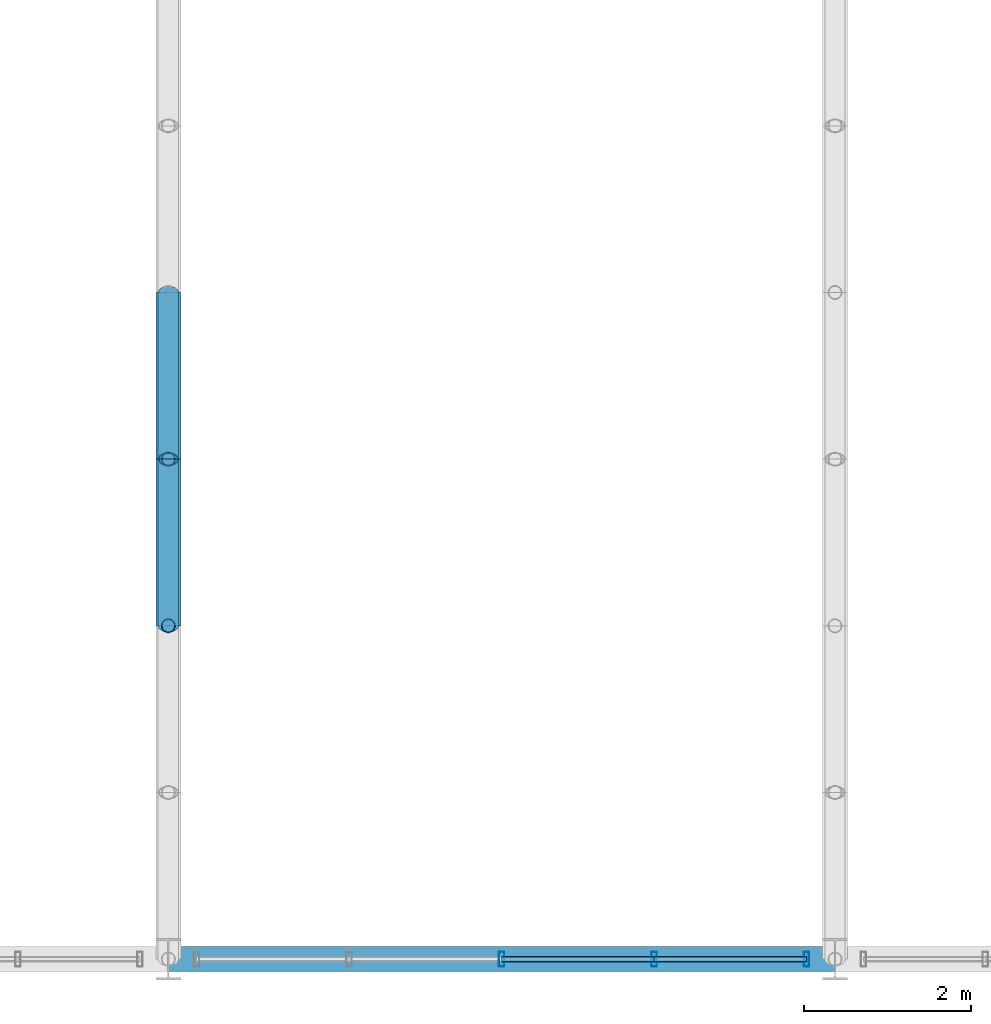
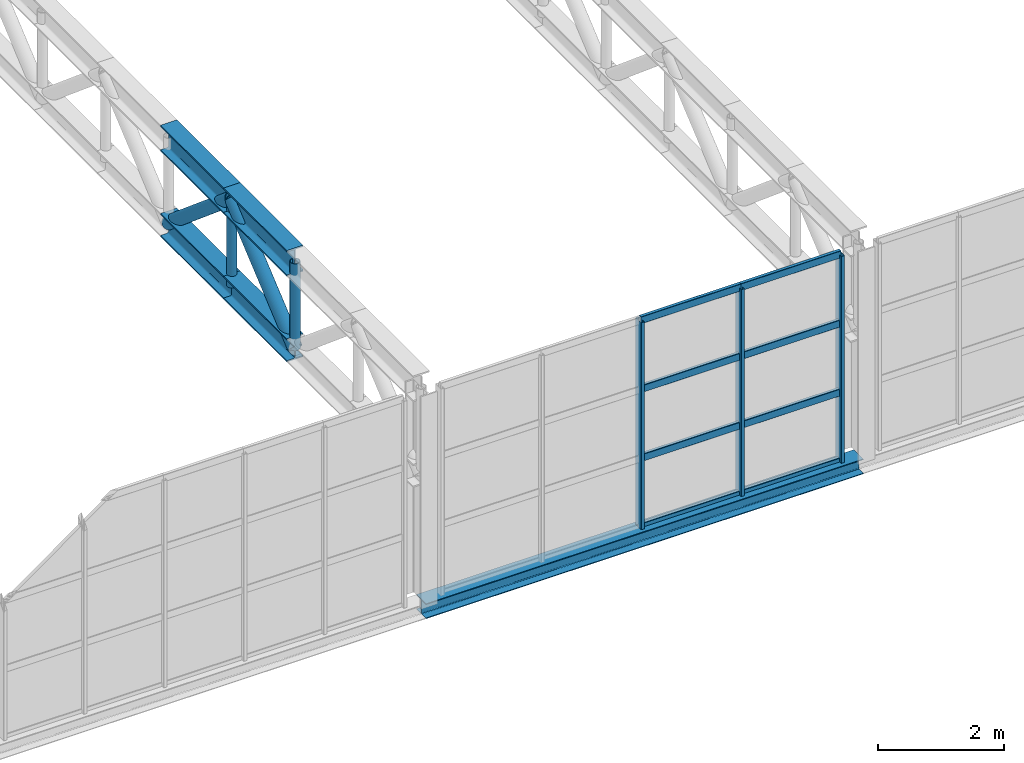
# One storey, part 11 of 67: 19 members, 1 beam, 1 element without a shape of its own.
"""IFC4 building model written with IfcOpenShell, lengths in metres."""

from ifc_helpers import new_model, si_unit, derived_unit, direction, frame, origin, origin_2d, place, context, subcontext, project, spatial, hollow_rectangle, hollow_circle, i_section, extrude, material, material_profile, profile_set, type_object, element, aggregate, save


model = new_model("IFC4")

# Units and contexts
model_context = context("Model", 3, precision=1e-05, world=origin(), true_north=direction((0.0, 1.0)))
body_context = subcontext(model_context, "Body", "Model", "MODEL_VIEW")
ifc_project = project(units=[si_unit("LENGTHUNIT", "METRE"), si_unit("AREAUNIT", "SQUARE_METRE"), si_unit("VOLUMEUNIT", "CUBIC_METRE"), si_unit("PLANEANGLEUNIT", "RADIAN"), si_unit("MASSUNIT", "GRAM", prefix="KILO"), derived_unit("THERMALTRANSMITTANCEUNIT", [(si_unit("POWERUNIT", "WATT"), 1), (si_unit("LENGTHUNIT", "METRE"), -2), (si_unit("THERMODYNAMICTEMPERATUREUNIT", "KELVIN"), -1)])], contexts=[model_context])

# Site, building, storey
site_placement = place(None, origin())
site = spatial("IfcSite", under=ifc_project, at=site_placement, CompositionType="ELEMENT")
building_placement = place(site_placement, origin())
building = spatial("IfcBuilding", under=site, at=building_placement, Name="Keldorne Ridge Multi-Sports Centre", CompositionType="ELEMENT")
storey_placement = place(building_placement, frame((0.0, 0.0, 14.0)))
storey = spatial("IfcBuildingStorey", under=building, at=storey_placement, Name="L03", CompositionType="ELEMENT", Elevation=14.0)

# Beam
ifc_material_1 = material(Name="Steel S355", Category="steel")
ifc_material_profile_1 = material_profile(ifc_material_1, i_section(OverallWidth=0.300048828125, OverallDepth=0.2900390625, WebThickness=0.008544921875, FlangeThickness=0.013916015625, FilletRadius=0.027099609375, at=origin_2d()), Name="HEA 300")
ifc_profile_set_1 = profile_set([ifc_material_profile_1], Name="Steel S355")
beam_type = type_object("IfcBeamType", Name="BM-SP-04", PredefinedType="SPANDREL", material=ifc_profile_set_1)
beam_placement = place(storey_placement, frame((112.0, 6.0, -0.14990234375), z_axis=(1.0, 0.0, 0.0), x_axis=(0.0, 1.0, 0.0)))
element("IfcBeam", 1, at=beam_placement, inside=storey, type_object=beam_type, Name="Stacked Courts spandrel L03.6.2", PredefinedType="SPANDREL", context=body_context, shape_type="SweptSolid", body=[
    extrude(i_section(OverallWidth=0.300048828125, OverallDepth=0.2900390625, WebThickness=0.008544921875, FlangeThickness=0.013916015625, FilletRadius=0.027099609375, at=origin_2d()), origin(), (0.0, 0.0, 1.0), 8.0),
])

# Curtain wall, members
ifc_material_2 = material(Name="Anodized aluminium", Category="aluminium")
curtain_wall_type = type_object("IfcCurtainWallType", Name="CW-CW-08", PredefinedType="NOTDEFINED", material=ifc_material_2)
curtain_wall_placement = place(storey_placement, origin())
curtain_wall = element("IfcCurtainWall", 2, at=curtain_wall_placement, inside=storey, type_object=curtain_wall_type, Name="Upper Courts high clerestory 096", PredefinedType="NOTDEFINED")
ifc_material_profile_2 = material_profile(ifc_material_2, hollow_rectangle(XDim=0.06494140625, YDim=0.179931640625, WallThickness=0.00439453125, InnerFilletRadius=0.00439453125, OuterFilletRadius=0.009033203125, at=origin_2d()), Name="ALU MULLION 180x65x4.5")
ifc_profile_set_2 = profile_set([ifc_material_profile_2], Name="Anodized aluminium")
member_type_1 = type_object("IfcMemberType", Name="MEM-ML-01", PredefinedType="MULLION", material=ifc_profile_set_2)
member_1_placement = place(storey_placement, frame((116.0, 6.0, 0.0), z_axis=(0.0, 0.0, 1.0), x_axis=(1.0, 0.0, 0.0)))
member_1 = element("IfcMember", 3, at=member_1_placement, type_object=member_type_1, Name="CW-096 vertical mullion 3", PredefinedType="MULLION", context=body_context, shape_type="SweptSolid", body=[
    extrude(hollow_rectangle(XDim=0.06494140625, YDim=0.179931640625, WallThickness=0.00439453125, InnerFilletRadius=0.00439453125, OuterFilletRadius=0.009033203125, at=origin_2d()), origin(), (0.0, 0.0, 1.0), 4.0),
])
member_2_placement = place(storey_placement, frame((117.830078125, 6.0, 0.0), z_axis=(0.0, 0.0, 1.0), x_axis=(1.0, 0.0, 0.0)))
member_2 = element("IfcMember", 4, at=member_2_placement, type_object=member_type_1, Name="CW-096 vertical mullion 4", PredefinedType="MULLION", context=body_context, shape_type="SweptSolid", body=[
    extrude(hollow_rectangle(XDim=0.06494140625, YDim=0.179931640625, WallThickness=0.00439453125, InnerFilletRadius=0.00439453125, OuterFilletRadius=0.009033203125, at=origin_2d()), origin(), (0.0, 0.0, 1.0), 4.0),
])
member_3_placement = place(storey_placement, frame((119.659912109375, 6.0, 0.0), z_axis=(0.0, 0.0, 1.0), x_axis=(1.0, 0.0, 0.0)))
member_3 = element("IfcMember", 5, at=member_3_placement, type_object=member_type_1, Name="CW-096 vertical mullion 5", PredefinedType="MULLION", context=body_context, shape_type="SweptSolid", body=[
    extrude(hollow_rectangle(XDim=0.06494140625, YDim=0.179931640625, WallThickness=0.00439453125, InnerFilletRadius=0.00439453125, OuterFilletRadius=0.009033203125, at=origin_2d()), origin(), (0.0, 0.0, 1.0), 4.0),
])

# Members
ifc_material_profile_3 = material_profile(ifc_material_1, i_section(OverallWidth=0.300048828125, OverallDepth=0.5, WebThickness=0.014404296875, FlangeThickness=0.028076171875, FilletRadius=0.027099609375, at=origin_2d()), Name="HEB 500")
ifc_profile_set_3 = profile_set([ifc_material_profile_3], Name="Steel S355")
member_type_2 = type_object("IfcMemberType", Name="MEM-TC-03", PredefinedType="CHORD", material=ifc_profile_set_3)
for number, where, z_axis, x_axis, name in (
    (6, (112.0, 10.0, 4.110107421875), (0.0, 1.0, 0.0), (-1.0, 0.0, 0.0), "Stacked Courts Warren TRUSS WT-L04-02 top chord 3"),
    (7, (112.0, 12.0, 4.110107421875), (0.0, 1.0, 0.0), (-1.0, 0.0, 0.0), "Stacked Courts Warren TRUSS WT-L04-02 top chord 4"),
):
    element("IfcMember", number, at=place(storey_placement, frame(where, z_axis=z_axis, x_axis=x_axis)), inside=storey, type_object=member_type_2, Name=name, PredefinedType="CHORD", context=body_context, shape_type="SweptSolid", body=[
        extrude(i_section(OverallWidth=0.300048828125, OverallDepth=0.5, WebThickness=0.014404296875, FlangeThickness=0.028076171875, FilletRadius=0.027099609375, at=origin_2d()), origin(), (0.0, 0.0, 1.0), 2.0),
    ])
ifc_material_profile_4 = material_profile(ifc_material_1, i_section(OverallWidth=0.300048828125, OverallDepth=0.449951171875, WebThickness=0.013916015625, FlangeThickness=0.02587890625, FilletRadius=0.027099609375, at=origin_2d()), Name="HEB 450")
ifc_profile_set_4 = profile_set([ifc_material_profile_4], Name="Steel S355")
member_type_3 = type_object("IfcMemberType", Name="MEM-TC-04", PredefinedType="CHORD", material=ifc_profile_set_4)
for number, where, z_axis, x_axis, name in (
    (8, (112.0, 10.0, 2.429931640625), (0.0, 1.0, 0.0), (-1.0, 0.0, 0.0), "Stacked Courts Warren TRUSS WT-L04-02 bottom chord 3"),
    (9, (112.0, 12.0, 2.429931640625), (0.0, 1.0, 0.0), (-1.0, 0.0, 0.0), "Stacked Courts Warren TRUSS WT-L04-02 bottom chord 4"),
):
    element("IfcMember", number, at=place(storey_placement, frame(where, z_axis=z_axis, x_axis=x_axis)), inside=storey, type_object=member_type_3, Name=name, PredefinedType="CHORD", context=body_context, shape_type="SweptSolid", body=[
        extrude(i_section(OverallWidth=0.300048828125, OverallDepth=0.449951171875, WebThickness=0.013916015625, FlangeThickness=0.02587890625, FilletRadius=0.027099609375, at=origin_2d()), origin(), (0.0, 0.0, 1.0), 2.0),
    ])
ifc_material_profile_5 = material_profile(ifc_material_1, hollow_circle(Radius=0.122314453125, WallThickness=0.012451171875, at=origin_2d()), Name="CHS 244.5x12.5")
ifc_profile_set_5 = profile_set([ifc_material_profile_5], Name="Steel S355")
member_type_4 = type_object("IfcMemberType", Name="MEM-TD-02", PredefinedType="BRACE", material=ifc_profile_set_5)
for number, where, z_axis, x_axis, name in (
    (10, (112.0, 10.0, 2.429931640625), (0.0, 0.765671721121, 0.643231541108), (-1.0, 0.0, 0.0), "Stacked Courts Warren TRUSS WT-L04-02 diagonal 3"),
    (11, (112.0, 12.0, 4.110107421875), (0.0, 0.765671721121, -0.643231541108), (-1.0, 0.0, 0.0), "Stacked Courts Warren TRUSS WT-L04-02 diagonal 4"),
):
    element("IfcMember", number, at=place(storey_placement, frame(where, z_axis=z_axis, x_axis=x_axis)), inside=storey, type_object=member_type_4, Name=name, PredefinedType="BRACE", context=body_context, shape_type="SweptSolid", body=[
        extrude(hollow_circle(Radius=0.122314453125, WallThickness=0.012451171875, at=origin_2d()), origin(), (0.0, 0.0, 1.0), 2.612060546875),
    ])

# Member
ifc_material_profile_6 = material_profile(ifc_material_2, hollow_rectangle(XDim=0.06494140625, YDim=0.139892578125, WallThickness=0.00439453125, InnerFilletRadius=0.00439453125, OuterFilletRadius=0.009033203125, at=origin_2d()), Name="ALU TRANSOM 140x65x4.5")
ifc_profile_set_6 = profile_set([ifc_material_profile_6], Name="Anodized aluminium")
member_type_5 = type_object("IfcMemberType", Name="MEM-TR-01", PredefinedType="USERDEFINED", material=ifc_profile_set_6)
member_4_placement = place(storey_placement, frame((116.0, 6.0, 0.0), z_axis=(1.0, 0.0, 0.0), x_axis=(0.0, 1.0, 0.0)))
member_4 = element("IfcMember", 12, at=member_4_placement, type_object=member_type_5, Name="CW-096 transom 3.1", ObjectType="TRANSOM", PredefinedType="USERDEFINED", context=body_context, shape_type="SweptSolid", body=[
    extrude(hollow_rectangle(XDim=0.06494140625, YDim=0.139892578125, WallThickness=0.00439453125, InnerFilletRadius=0.00439453125, OuterFilletRadius=0.009033203125, at=origin_2d()), origin(), (0.0, 0.0, 1.0), 1.830078125),
])

member_5_placement = place(storey_placement, frame((116.0, 6.0, 1.333251953125), z_axis=(1.0, 0.0, 0.0), x_axis=(0.0, 1.0, 0.0)))
member_5 = element("IfcMember", 13, at=member_5_placement, type_object=member_type_5, Name="CW-096 transom 3.2", ObjectType="TRANSOM", PredefinedType="USERDEFINED", context=body_context, shape_type="SweptSolid", body=[
    extrude(hollow_rectangle(XDim=0.06494140625, YDim=0.139892578125, WallThickness=0.00439453125, InnerFilletRadius=0.00439453125, OuterFilletRadius=0.009033203125, at=origin_2d()), origin(), (0.0, 0.0, 1.0), 1.830078125),
])

member_6_placement = place(storey_placement, frame((116.0, 6.0, 2.666748046875), z_axis=(1.0, 0.0, 0.0), x_axis=(0.0, 1.0, 0.0)))
member_6 = element("IfcMember", 14, at=member_6_placement, type_object=member_type_5, Name="CW-096 transom 3.3", ObjectType="TRANSOM", PredefinedType="USERDEFINED", context=body_context, shape_type="SweptSolid", body=[
    extrude(hollow_rectangle(XDim=0.06494140625, YDim=0.139892578125, WallThickness=0.00439453125, InnerFilletRadius=0.00439453125, OuterFilletRadius=0.009033203125, at=origin_2d()), origin(), (0.0, 0.0, 1.0), 1.830078125),
])

member_7_placement = place(storey_placement, frame((116.0, 6.0, 4.0), z_axis=(1.0, 0.0, 0.0), x_axis=(0.0, 1.0, 0.0)))
member_7 = element("IfcMember", 15, at=member_7_placement, type_object=member_type_5, Name="CW-096 transom 3.4", ObjectType="TRANSOM", PredefinedType="USERDEFINED", context=body_context, shape_type="SweptSolid", body=[
    extrude(hollow_rectangle(XDim=0.06494140625, YDim=0.139892578125, WallThickness=0.00439453125, InnerFilletRadius=0.00439453125, OuterFilletRadius=0.009033203125, at=origin_2d()), origin(), (0.0, 0.0, 1.0), 1.830078125),
])

member_8_placement = place(storey_placement, frame((117.830078125, 6.0, 0.0), z_axis=(1.0, 0.0, 0.0), x_axis=(0.0, 1.0, 0.0)))
member_8 = element("IfcMember", 16, at=member_8_placement, type_object=member_type_5, Name="CW-096 transom 4.1", ObjectType="TRANSOM", PredefinedType="USERDEFINED", context=body_context, shape_type="SweptSolid", body=[
    extrude(hollow_rectangle(XDim=0.06494140625, YDim=0.139892578125, WallThickness=0.00439453125, InnerFilletRadius=0.00439453125, OuterFilletRadius=0.009033203125, at=origin_2d()), origin(), (0.0, 0.0, 1.0), 1.829833984375),
])

member_9_placement = place(storey_placement, frame((117.830078125, 6.0, 1.333251953125), z_axis=(1.0, 0.0, 0.0), x_axis=(0.0, 1.0, 0.0)))
member_9 = element("IfcMember", 17, at=member_9_placement, type_object=member_type_5, Name="CW-096 transom 4.2", ObjectType="TRANSOM", PredefinedType="USERDEFINED", context=body_context, shape_type="SweptSolid", body=[
    extrude(hollow_rectangle(XDim=0.06494140625, YDim=0.139892578125, WallThickness=0.00439453125, InnerFilletRadius=0.00439453125, OuterFilletRadius=0.009033203125, at=origin_2d()), origin(), (0.0, 0.0, 1.0), 1.829833984375),
])

member_10_placement = place(storey_placement, frame((117.830078125, 6.0, 2.666748046875), z_axis=(1.0, 0.0, 0.0), x_axis=(0.0, 1.0, 0.0)))
member_10 = element("IfcMember", 18, at=member_10_placement, type_object=member_type_5, Name="CW-096 transom 4.3", ObjectType="TRANSOM", PredefinedType="USERDEFINED", context=body_context, shape_type="SweptSolid", body=[
    extrude(hollow_rectangle(XDim=0.06494140625, YDim=0.139892578125, WallThickness=0.00439453125, InnerFilletRadius=0.00439453125, OuterFilletRadius=0.009033203125, at=origin_2d()), origin(), (0.0, 0.0, 1.0), 1.829833984375),
])

member_11_placement = place(storey_placement, frame((117.830078125, 6.0, 4.0), z_axis=(1.0, 0.0, 0.0), x_axis=(0.0, 1.0, 0.0)))
member_11 = element("IfcMember", 19, at=member_11_placement, type_object=member_type_5, Name="CW-096 transom 4.4", ObjectType="TRANSOM", PredefinedType="USERDEFINED", context=body_context, shape_type="SweptSolid", body=[
    extrude(hollow_rectangle(XDim=0.06494140625, YDim=0.139892578125, WallThickness=0.00439453125, InnerFilletRadius=0.00439453125, OuterFilletRadius=0.009033203125, at=origin_2d()), origin(), (0.0, 0.0, 1.0), 1.829833984375),
])

aggregate(curtain_wall, [member_1, member_2, member_3, member_4, member_5, member_6, member_7, member_8, member_9, member_10, member_11])

# Members
ifc_material_profile_7 = material_profile(ifc_material_1, hollow_circle(Radius=0.084228515625, WallThickness=0.010009765625, at=origin_2d()), Name="CHS 168.3x10")
ifc_profile_set_7 = profile_set([ifc_material_profile_7], Name="Steel S355")
member_type_6 = type_object("IfcMemberType", Name="MEM-TV-01", PredefinedType="STRUT", material=ifc_profile_set_7)
for number, where, z_axis, x_axis, name in (
    (20, (112.0, 10.0, 2.429931640625), (0.0, 0.0, 1.0), (1.0, 0.0, 0.0), "Stacked Courts Warren TRUSS WT-L04-02 post 3"),
    (21, (112.0, 12.0, 2.429931640625), (0.0, 0.0, 1.0), (1.0, 0.0, 0.0), "Stacked Courts Warren TRUSS WT-L04-02 post 4"),
):
    element("IfcMember", number, at=place(storey_placement, frame(where, z_axis=z_axis, x_axis=x_axis)), inside=storey, type_object=member_type_6, Name=name, PredefinedType="STRUT", context=body_context, shape_type="SweptSolid", body=[
        extrude(hollow_circle(Radius=0.084228515625, WallThickness=0.010009765625, at=origin_2d()), origin(), (0.0, 0.0, 1.0), 1.68017578125),
    ])

save(model, "model.ifc")
